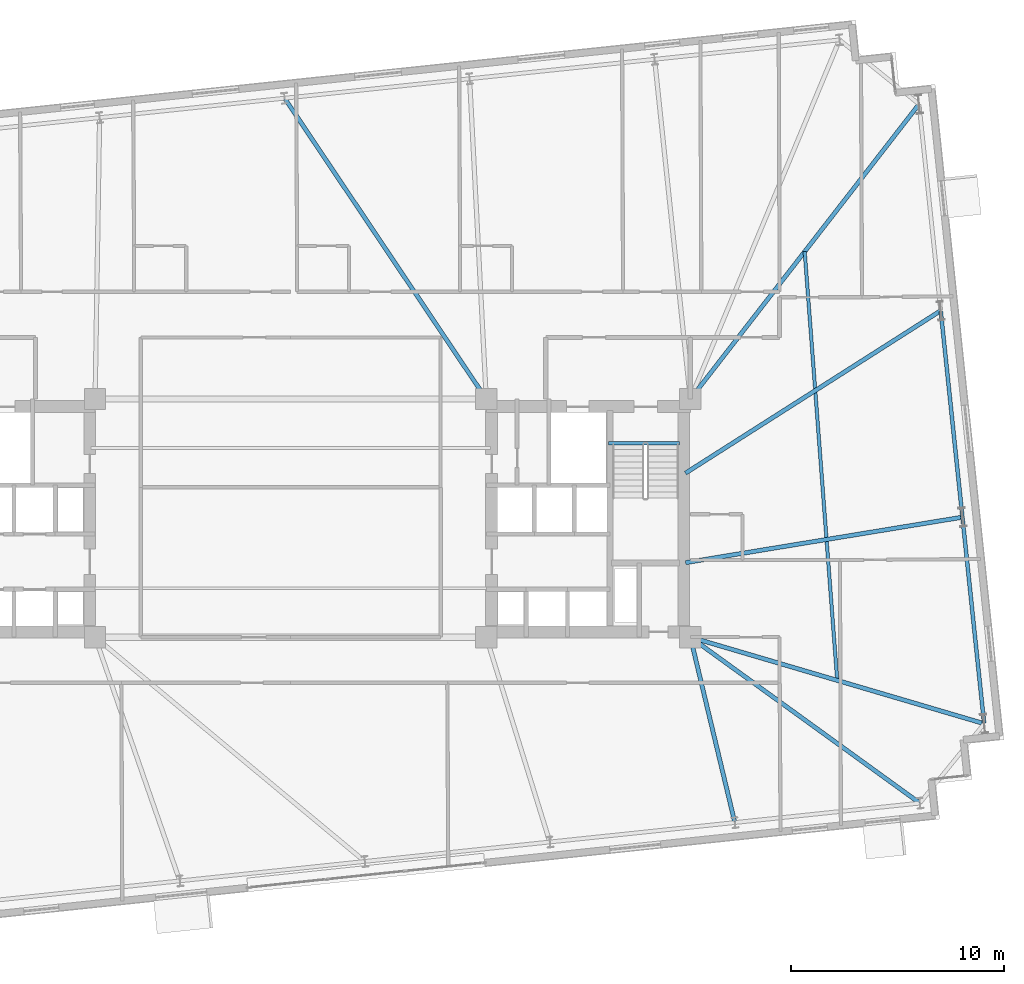
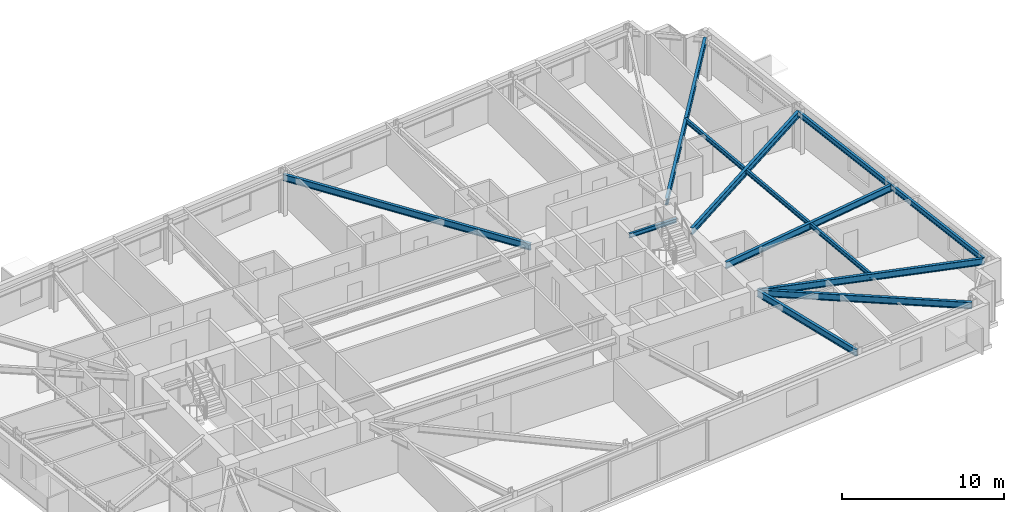
# One storey, part 11 of 22: 11 beams.
"""IFC4 building model written with IfcOpenShell, lengths in metres."""

from ifc_helpers import new_model, si_unit, direction, frame, origin, origin_2d, place, context, subcontext, project, spatial, i_section, extrude, material, material_profile, profile_set, type_object, element, save


model = new_model("IFC4")

# Units and contexts
model_context = context("Model", 3, precision=1e-05, world=origin(), true_north=direction((0.0, 1.0)))
body_context = subcontext(model_context, "Body", "Model", "MODEL_VIEW")
ifc_project = project(units=[si_unit("LENGTHUNIT", "METRE"), si_unit("AREAUNIT", "SQUARE_METRE"), si_unit("VOLUMEUNIT", "CUBIC_METRE"), si_unit("PLANEANGLEUNIT", "RADIAN"), si_unit("MASSUNIT", "GRAM", prefix="KILO")], contexts=[model_context])

# Site, building, storey
site_placement = place(None, origin())
site = spatial("IfcSite", under=ifc_project, at=site_placement, CompositionType="ELEMENT")
building_placement = place(site_placement, origin())
building = spatial("IfcBuilding", under=site, at=building_placement, Name="Qobustan Lattice House", CompositionType="ELEMENT")
storey_placement = place(building_placement, frame((0.0, 0.0, 99.10009765625)))
storey = spatial("IfcBuildingStorey", under=building, at=storey_placement, Name="L27", CompositionType="ELEMENT", Elevation=99.10009765625)

# Beams
ifc_material_1 = material(Name="Steel S355", Category="steel")
ifc_material_profile_1 = material_profile(ifc_material_1, i_section(OverallWidth=0.199951171875, OverallDepth=0.5, WebThickness=0.01025390625, FlangeThickness=0.01611328125, FilletRadius=0.02099609375, at=origin_2d()), Name="IPE500")
ifc_profile_set_1 = profile_set([ifc_material_profile_1], Name="Steel S355")
beam_type_1 = type_object("IfcBeamType", Name="BM-FLG-IPE500", PredefinedType="USERDEFINED", material=ifc_profile_set_1)
beam_1_placement = place(storey_placement, frame((20.885009765625, -14.297607421875, 2.794921875), z_axis=(-0.233107910855, 0.97245087377, 0.0), x_axis=(-0.97245087377, -0.233107910855, 0.0)))
element("IfcBeam", 1, at=beam_1_placement, inside=storey, type_object=beam_type_1, Name="L27 primary floor girder RAD-S6", ObjectType="GIRDER", PredefinedType="USERDEFINED", context=body_context, shape_type="SweptSolid", body=[
    extrude(i_section(OverallWidth=0.199951171875, OverallDepth=0.5, WebThickness=0.01025390625, FlangeThickness=0.01611328125, FilletRadius=0.02099609375, at=origin_2d()), origin(), (0.0, 0.0, 1.0), 8.9189453125),
])
beam_2_placement = place(storey_placement, frame((29.572509765625, -13.392578125, 2.794921875), z_axis=(-0.81023705091, 0.586102313024, 0.0), x_axis=(-0.586102313024, -0.81023705091, 0.0)))
element("IfcBeam", 2, at=beam_2_placement, inside=storey, type_object=beam_type_1, Name="L27 primary floor girder RAD-S7E", ObjectType="GIRDER", PredefinedType="USERDEFINED", context=body_context, shape_type="SweptSolid", body=[
    extrude(i_section(OverallWidth=0.199951171875, OverallDepth=0.5, WebThickness=0.01025390625, FlangeThickness=0.01611328125, FilletRadius=0.02099609375, at=origin_2d()), origin(), (0.0, 0.0, 1.0), 13.2705078125),
])
beam_3_placement = place(storey_placement, frame((-0.272705078125, 19.730224609375, 2.794921875), z_axis=(0.556837669082, -0.830621339896, 0.0), x_axis=(0.830621339896, 0.556837669082, 0.0)))
element("IfcBeam", 3, at=beam_3_placement, inside=storey, type_object=beam_type_1, Name="L27 primary floor girder RAD-N4", ObjectType="GIRDER", PredefinedType="USERDEFINED", context=body_context, shape_type="SweptSolid", body=[
    extrude(i_section(OverallWidth=0.199951171875, OverallDepth=0.5, WebThickness=0.01025390625, FlangeThickness=0.01611328125, FilletRadius=0.02099609375, at=origin_2d()), origin(), (0.0, 0.0, 1.0), 16.986572265625),
])
beam_4_placement = place(storey_placement, frame((29.541015625, 19.44921875, 2.794921875), z_axis=(-0.612860318028, -0.790191262029, 0.0), x_axis=(0.790191262029, -0.612860318028, 0.0)))
element("IfcBeam", 4, at=beam_4_placement, inside=storey, type_object=beam_type_1, Name="L27 primary floor girder RAD-E4", ObjectType="GIRDER", PredefinedType="USERDEFINED", context=body_context, shape_type="SweptSolid", body=[
    extrude(i_section(OverallWidth=0.199951171875, OverallDepth=0.5, WebThickness=0.01025390625, FlangeThickness=0.01611328125, FilletRadius=0.02099609375, at=origin_2d()), origin(), (0.0, 0.0, 1.0), 17.501220703125),
])
beam_5_placement = place(storey_placement, frame((30.555908203125, 9.742431640625, 2.794921875), z_axis=(-0.843584351199, -0.536996687525, 0.0), x_axis=(0.536996687525, -0.843584351199, 0.0)))
element("IfcBeam", 5, at=beam_5_placement, inside=storey, type_object=beam_type_1, Name="L27 primary floor girder RAD-E3", ObjectType="GIRDER", PredefinedType="USERDEFINED", context=body_context, shape_type="SweptSolid", body=[
    extrude(i_section(OverallWidth=0.199951171875, OverallDepth=0.5, WebThickness=0.01025390625, FlangeThickness=0.01611328125, FilletRadius=0.02099609375, at=origin_2d()), origin(), (0.0, 0.0, 1.0), 14.20703125),
])
beam_6_placement = place(storey_placement, frame((31.5732421875, 0.03857421875, 2.794921875), z_axis=(-0.986783828506, -0.162042203761, 0.0), x_axis=(0.162042203761, -0.986783828506, 0.0)))
element("IfcBeam", 6, at=beam_6_placement, inside=storey, type_object=beam_type_1, Name="L27 primary floor girder RAD-E2", ObjectType="GIRDER", PredefinedType="USERDEFINED", context=body_context, shape_type="SweptSolid", body=[
    extrude(i_section(OverallWidth=0.199951171875, OverallDepth=0.5, WebThickness=0.01025390625, FlangeThickness=0.01611328125, FilletRadius=0.02099609375, at=origin_2d()), origin(), (0.0, 0.0, 1.0), 13.172607421875),
])
beam_7_placement = place(storey_placement, frame((32.594970703125, -9.663330078125, 2.794921875), z_axis=(-0.959254941513, 0.282541956499, 0.0), x_axis=(-0.282541956499, -0.959254941513, 0.0)))
element("IfcBeam", 7, at=beam_7_placement, inside=storey, type_object=beam_type_1, Name="L27 primary floor girder RAD-E1", ObjectType="GIRDER", PredefinedType="USERDEFINED", context=body_context, shape_type="SweptSolid", body=[
    extrude(i_section(OverallWidth=0.199951171875, OverallDepth=0.5, WebThickness=0.01025390625, FlangeThickness=0.01611328125, FilletRadius=0.02099609375, at=origin_2d()), origin(), (0.0, 0.0, 1.0), 14.35595703125),
])
ifc_material_2 = material(Name="Steel S355", Category="steel")
ifc_material_profile_2 = material_profile(ifc_material_2, i_section(OverallWidth=0.159912109375, OverallDepth=0.330078125, WebThickness=0.007568359375, FlangeThickness=0.011474609375, FilletRadius=0.01806640625, at=origin_2d()), Name="IPE330")
ifc_profile_set_2 = profile_set([ifc_material_profile_2], Name="Steel S355")
beam_type_2 = type_object("IfcBeamType", Name="BM-SEC-IPE330", PredefinedType="BEAM", material=ifc_profile_set_2)
beam_8_placement = place(storey_placement, frame((24.177978515625, 12.534423828125, 2.8798828125), z_axis=(0.075712576466, -0.997129683524, 0.0), x_axis=(0.997129683524, 0.075712576466, 0.0)))
element("IfcBeam", 8, at=beam_8_placement, inside=storey, type_object=beam_type_2, Name="L27 east wing secondary beam", PredefinedType="BEAM", context=body_context, shape_type="SweptSolid", body=[
    extrude(i_section(OverallWidth=0.159912109375, OverallDepth=0.330078125, WebThickness=0.007568359375, FlangeThickness=0.011474609375, FilletRadius=0.01806640625, at=origin_2d()), origin(), (0.0, 0.0, 1.0), 20.227783203125),
])
ifc_material_3 = material(Name="Steel S355", Category="steel")
ifc_material_profile_3 = material_profile(ifc_material_3, i_section(OverallWidth=0.159912109375, OverallDepth=0.330078125, WebThickness=0.007568359375, FlangeThickness=0.011474609375, FilletRadius=0.01806640625, at=origin_2d()), Name="IPE330")
ifc_profile_set_3 = profile_set([ifc_material_profile_3], Name="Steel S355")
beam_type_3 = type_object("IfcBeamType", Name="BM-SPD-IPE330", PredefinedType="SPANDREL", material=ifc_profile_set_3)
beam_9_placement = place(storey_placement, frame((14.949951171875, 3.52001953125, 2.8798828125), z_axis=(1.0, 0.0, 0.0), x_axis=(0.0, 1.0, 0.0)))
element("IfcBeam", 9, at=beam_9_placement, inside=storey, type_object=beam_type_3, Name="L27 east stair landing trimmer beam", PredefinedType="SPANDREL", context=body_context, shape_type="SweptSolid", body=[
    extrude(i_section(OverallWidth=0.159912109375, OverallDepth=0.330078125, WebThickness=0.007568359375, FlangeThickness=0.011474609375, FilletRadius=0.01806640625, at=origin_2d()), origin(), (0.0, 0.0, 1.0), 3.35009765625),
])
ifc_material_4 = material(Name="Steel S355", Category="steel")
ifc_material_profile_4 = material_profile(ifc_material_4, i_section(OverallWidth=0.179931640625, OverallDepth=0.39990234375, WebThickness=0.008544921875, FlangeThickness=0.013427734375, FilletRadius=0.02099609375, at=origin_2d()), Name="IPE400")
ifc_profile_set_4 = profile_set([ifc_material_profile_4], Name="Steel S355")
beam_type_4 = type_object("IfcBeamType", Name="BM-SPD-IPE400", PredefinedType="SPANDREL", material=ifc_profile_set_4)
for number, where, z_axis, x_axis, name in (
    (10, (32.6162109375, -9.6455078125, 2.844970703125), (-0.104525214252, 0.994522236848, 0.0), (-0.994522236848, -0.104525214252, 0.0), "L27 perimeter spandrel E1-E2"),
    (11, (31.595458984375, 0.067626953125, 2.844970703125), (-0.10455006589, 0.994519624604, 0.0), (-0.994519624604, -0.10455006589, 0.0), "L27 perimeter spandrel E2-E3"),
):
    element("IfcBeam", number, at=place(storey_placement, frame(where, z_axis=z_axis, x_axis=x_axis)), inside=storey, type_object=beam_type_4, Name=name, PredefinedType="SPANDREL", context=body_context, shape_type="SweptSolid", body=[
        extrude(i_section(OverallWidth=0.179931640625, OverallDepth=0.39990234375, WebThickness=0.008544921875, FlangeThickness=0.013427734375, FilletRadius=0.02099609375, at=origin_2d()), origin(), (0.0, 0.0, 1.0), 9.716552734375),
    ])

save(model, "model.ifc")
